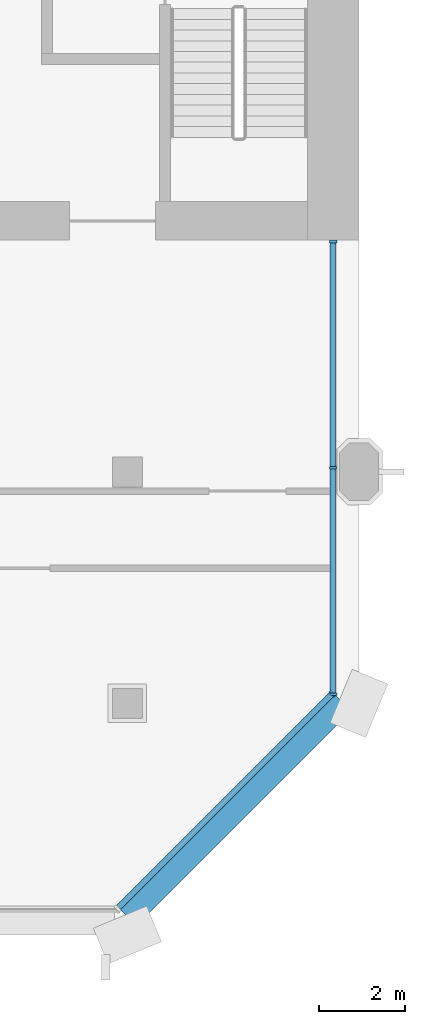
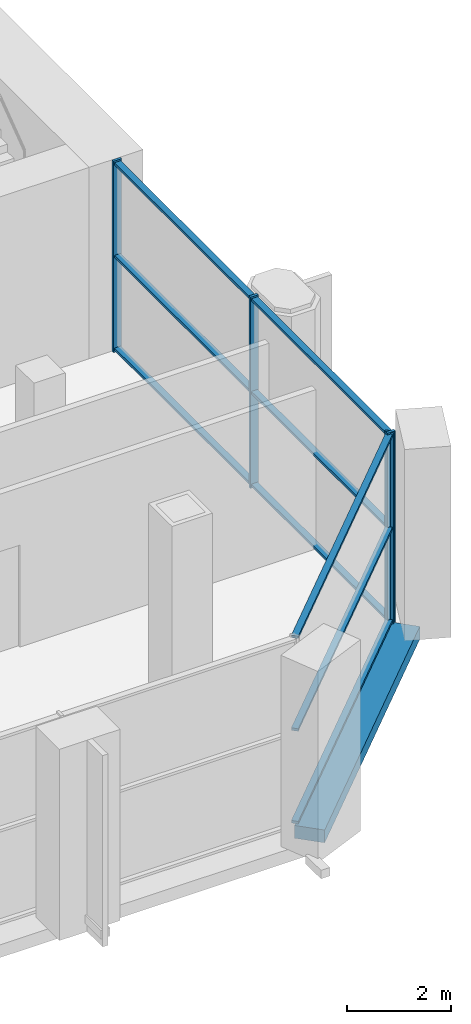
# One storey, part 4 of 13: 13 members, 1 beam, 2 elements without a shape of their own.
"""IFC4 building model written with IfcOpenShell, lengths in metres."""

from ifc_helpers import new_model, si_unit, direction, frame, origin, origin_2d, place, context, subcontext, project, spatial, rectangle, extrude, material, material_profile, profile_set, type_object, element, aggregate, save


model = new_model("IFC4")

# Units and contexts
model_context = context("Model", 3, precision=1e-05, world=origin(), true_north=direction((0.0, 1.0)))
body_context = subcontext(model_context, "Body", "Model", "MODEL_VIEW")
ifc_project = project(units=[si_unit("LENGTHUNIT", "METRE"), si_unit("AREAUNIT", "SQUARE_METRE"), si_unit("VOLUMEUNIT", "CUBIC_METRE"), si_unit("PLANEANGLEUNIT", "RADIAN"), si_unit("MASSUNIT", "GRAM", prefix="KILO")], contexts=[model_context])

# Site, building, storey
site_placement = place(None, origin())
site = spatial("IfcSite", under=ifc_project, at=site_placement, CompositionType="ELEMENT")
building_placement = place(site_placement, origin())
building = spatial("IfcBuilding", under=site, at=building_placement, Name="Tabaq Tower and Sports Hall", CompositionType="ELEMENT")
storey_placement = place(building_placement, frame((0.0, 0.0, 255.699951171875)))
storey = spatial("IfcBuildingStorey", under=building, at=storey_placement, Name="L62", CompositionType="ELEMENT", Elevation=255.699951171875)

# Curtain wall, member
ifc_material_1 = material(Name="Aluminium alloy 6063-T6 framed glazing", Category="aluminium")
curtain_wall_type = type_object("IfcCurtainWallType", Name="CW3 curtain wall", PredefinedType="USERDEFINED", material=ifc_material_1)
curtain_wall_1_placement = place(storey_placement, origin())
curtain_wall_1 = element("IfcCurtainWall", 1, at=curtain_wall_1_placement, inside=storey, type_object=curtain_wall_type, Name="Garden Floor Wall L62 SE", ObjectType="GARDEN FLOOR WALL", PredefinedType="USERDEFINED")
ifc_material_2 = material(Name="Aluminium alloy 6063-T6", Category="aluminium")
ifc_material_profile_1 = material_profile(ifc_material_2, rectangle(XDim=0.179931640625, YDim=0.06005859375, at=origin_2d()), Name="MULLION 180x60")
ifc_profile_set_1 = profile_set([ifc_material_profile_1], Name="Aluminium alloy 6063-T6")
member_type_1 = type_object("IfcMemberType", Name="CW3 mullion 180x60", PredefinedType="MULLION", material=ifc_profile_set_1)
member_1_placement = place(storey_placement, frame((42.578857421875, 5.627197265625, 0.0), z_axis=(0.0, 0.0, 1.0), x_axis=(-0.707106781187, 0.707106781187, 0.0)))
member_1 = element("IfcMember", 2, at=member_1_placement, type_object=member_type_1, Name="CW3 mullion 2", PredefinedType="MULLION", context=body_context, shape_type="SweptSolid", body=[
    extrude(rectangle(XDim=0.179931640625, YDim=0.06005859375, at=origin_2d()), origin(), (0.0, 0.0, 1.0), 4.5),
])

# Curtain wall, members
curtain_wall_2_placement = place(storey_placement, origin())
curtain_wall_2 = element("IfcCurtainWall", 3, at=curtain_wall_2_placement, inside=storey, type_object=curtain_wall_type, Name="Garden Floor Wall L62 E", ObjectType="GARDEN FLOOR WALL", PredefinedType="USERDEFINED")
member_2_placement = place(storey_placement, frame((42.60009765625, 5.616455078125, 0.0), z_axis=(0.0, 0.0, 1.0), x_axis=(-1.0, 0.0, 0.0)))
member_2 = element("IfcMember", 4, at=member_2_placement, type_object=member_type_1, Name="CW3 mullion 1", PredefinedType="MULLION", context=body_context, shape_type="SweptSolid", body=[
    extrude(rectangle(XDim=0.179931640625, YDim=0.06005859375, at=origin_2d()), origin(), (0.0, 0.0, 1.0), 4.5),
])
member_3_placement = place(storey_placement, frame((42.60009765625, 10.893310546875, 0.0), z_axis=(0.0, 0.0, 1.0), x_axis=(-1.0, 0.0, 0.0)))
member_3 = element("IfcMember", 5, at=member_3_placement, type_object=member_type_1, Name="CW3 mullion 2", PredefinedType="MULLION", context=body_context, shape_type="SweptSolid", body=[
    extrude(rectangle(XDim=0.179931640625, YDim=0.06005859375, at=origin_2d()), origin(), (0.0, 0.0, 1.0), 4.5),
])
member_4_placement = place(storey_placement, frame((42.60009765625, 16.169921875, 0.0), z_axis=(0.0, 0.0, 1.0), x_axis=(-1.0, 0.0, 0.0)))
member_4 = element("IfcMember", 6, at=member_4_placement, type_object=member_type_1, Name="CW3 mullion 3", PredefinedType="MULLION", context=body_context, shape_type="SweptSolid", body=[
    extrude(rectangle(XDim=0.179931640625, YDim=0.06005859375, at=origin_2d()), origin(), (0.0, 0.0, 1.0), 4.5),
])

# Member
ifc_material_3 = material(Name="Aluminium alloy 6063-T6", Category="aluminium")
ifc_material_profile_2 = material_profile(ifc_material_3, rectangle(XDim=0.139892578125, YDim=0.06005859375, at=origin_2d()), Name="TRANSOM 140x60")
ifc_profile_set_2 = profile_set([ifc_material_profile_2], Name="Aluminium alloy 6063-T6")
member_type_2 = type_object("IfcMemberType", Name="CW3 transom 140x60", PredefinedType="USERDEFINED", material=ifc_profile_set_2)
member_5_placement = place(storey_placement, frame((37.593994140625, 0.642333984375, 0.070068359375), z_axis=(0.707089391533, 0.707124170412, 0.0), x_axis=(-0.707124170412, 0.707089391533, 0.0)))
member_5 = element("IfcMember", 7, at=member_5_placement, type_object=member_type_2, Name="CW3 transom 1.1", ObjectType="TRANSOM", PredefinedType="USERDEFINED", context=body_context, shape_type="SweptSolid", body=[
    extrude(rectangle(XDim=0.139892578125, YDim=0.06005859375, at=origin_2d()), origin(), (0.0, 0.0, 1.0), 7.019775390625),
])

member_6_placement = place(storey_placement, frame((37.593994140625, 0.642333984375, 2.25), z_axis=(0.707089391533, 0.707124170412, 0.0), x_axis=(-0.707124170412, 0.707089391533, 0.0)))
member_6 = element("IfcMember", 8, at=member_6_placement, type_object=member_type_2, Name="CW3 transom 1.2", ObjectType="TRANSOM", PredefinedType="USERDEFINED", context=body_context, shape_type="SweptSolid", body=[
    extrude(rectangle(XDim=0.139892578125, YDim=0.06005859375, at=origin_2d()), origin(), (0.0, 0.0, 1.0), 7.019775390625),
])

member_7_placement = place(storey_placement, frame((37.593994140625, 0.642333984375, 4.429931640625), z_axis=(0.707089391533, 0.707124170412, 0.0), x_axis=(-0.707124170412, 0.707089391533, 0.0)))
member_7 = element("IfcMember", 9, at=member_7_placement, type_object=member_type_2, Name="CW3 transom 1.3", ObjectType="TRANSOM", PredefinedType="USERDEFINED", context=body_context, shape_type="SweptSolid", body=[
    extrude(rectangle(XDim=0.139892578125, YDim=0.06005859375, at=origin_2d()), origin(), (0.0, 0.0, 1.0), 7.019775390625),
])

aggregate(curtain_wall_1, [member_1, member_5, member_6, member_7])

member_8_placement = place(storey_placement, frame((42.60009765625, 5.646484375, 0.070068359375), z_axis=(0.0, 1.0, 0.0), x_axis=(-1.0, 0.0, 0.0)))
member_8 = element("IfcMember", 10, at=member_8_placement, type_object=member_type_2, Name="CW3 transom 1.1", ObjectType="TRANSOM", PredefinedType="USERDEFINED", context=body_context, shape_type="SweptSolid", body=[
    extrude(rectangle(XDim=0.139892578125, YDim=0.06005859375, at=origin_2d()), origin(), (0.0, 0.0, 1.0), 5.216796875),
])

member_9_placement = place(storey_placement, frame((42.60009765625, 5.646484375, 2.25), z_axis=(0.0, 1.0, 0.0), x_axis=(-1.0, 0.0, 0.0)))
member_9 = element("IfcMember", 11, at=member_9_placement, type_object=member_type_2, Name="CW3 transom 1.2", ObjectType="TRANSOM", PredefinedType="USERDEFINED", context=body_context, shape_type="SweptSolid", body=[
    extrude(rectangle(XDim=0.139892578125, YDim=0.06005859375, at=origin_2d()), origin(), (0.0, 0.0, 1.0), 5.216796875),
])

member_10_placement = place(storey_placement, frame((42.60009765625, 5.646484375, 4.429931640625), z_axis=(0.0, 1.0, 0.0), x_axis=(-1.0, 0.0, 0.0)))
member_10 = element("IfcMember", 12, at=member_10_placement, type_object=member_type_2, Name="CW3 transom 1.3", ObjectType="TRANSOM", PredefinedType="USERDEFINED", context=body_context, shape_type="SweptSolid", body=[
    extrude(rectangle(XDim=0.139892578125, YDim=0.06005859375, at=origin_2d()), origin(), (0.0, 0.0, 1.0), 5.216796875),
])

member_11_placement = place(storey_placement, frame((42.60009765625, 10.923095703125, 0.070068359375), z_axis=(0.0, 1.0, 0.0), x_axis=(-1.0, 0.0, 0.0)))
member_11 = element("IfcMember", 13, at=member_11_placement, type_object=member_type_2, Name="CW3 transom 2.1", ObjectType="TRANSOM", PredefinedType="USERDEFINED", context=body_context, shape_type="SweptSolid", body=[
    extrude(rectangle(XDim=0.139892578125, YDim=0.06005859375, at=origin_2d()), origin(), (0.0, 0.0, 1.0), 5.216796875),
])

member_12_placement = place(storey_placement, frame((42.60009765625, 10.923095703125, 2.25), z_axis=(0.0, 1.0, 0.0), x_axis=(-1.0, 0.0, 0.0)))
member_12 = element("IfcMember", 14, at=member_12_placement, type_object=member_type_2, Name="CW3 transom 2.2", ObjectType="TRANSOM", PredefinedType="USERDEFINED", context=body_context, shape_type="SweptSolid", body=[
    extrude(rectangle(XDim=0.139892578125, YDim=0.06005859375, at=origin_2d()), origin(), (0.0, 0.0, 1.0), 5.216796875),
])

member_13_placement = place(storey_placement, frame((42.60009765625, 10.923095703125, 4.429931640625), z_axis=(0.0, 1.0, 0.0), x_axis=(-1.0, 0.0, 0.0)))
member_13 = element("IfcMember", 15, at=member_13_placement, type_object=member_type_2, Name="CW3 transom 2.3", ObjectType="TRANSOM", PredefinedType="USERDEFINED", context=body_context, shape_type="SweptSolid", body=[
    extrude(rectangle(XDim=0.139892578125, YDim=0.06005859375, at=origin_2d()), origin(), (0.0, 0.0, 1.0), 5.216796875),
])

aggregate(curtain_wall_2, [member_2, member_3, member_4, member_8, member_9, member_10, member_11, member_12, member_13])

# Beam
ifc_material_4 = material(Name="Concrete C40/50", Category="concrete")
ifc_material_profile_3 = material_profile(ifc_material_4, rectangle(XDim=0.60009765625, YDim=0.300048828125, at=origin_2d()), Name="EB 600x300")
ifc_profile_set_3 = profile_set([ifc_material_profile_3], Name="Concrete C40/50")
beam_type = type_object("IfcBeamType", Name="PT EDGE BEAM EB 600x300 C40/50", PredefinedType="SPANDREL", material=ifc_profile_set_3)
beam_placement = place(storey_placement, frame((37.799072265625, 0.42333984375, -0.14990234375), z_axis=(0.707106781187, 0.707106781187, 0.0), x_axis=(-0.707106781187, 0.707106781187, 0.0)))
element("IfcBeam", 16, at=beam_placement, inside=storey, type_object=beam_type, Name="Edge Beam L62 2", PredefinedType="SPANDREL", context=body_context, shape_type="SweptSolid", body=[
    extrude(rectangle(XDim=0.60009765625, YDim=0.300048828125, at=origin_2d()), origin(), (0.0, 0.0, 1.0), 7.087890625),
])

save(model, "model.ifc")
